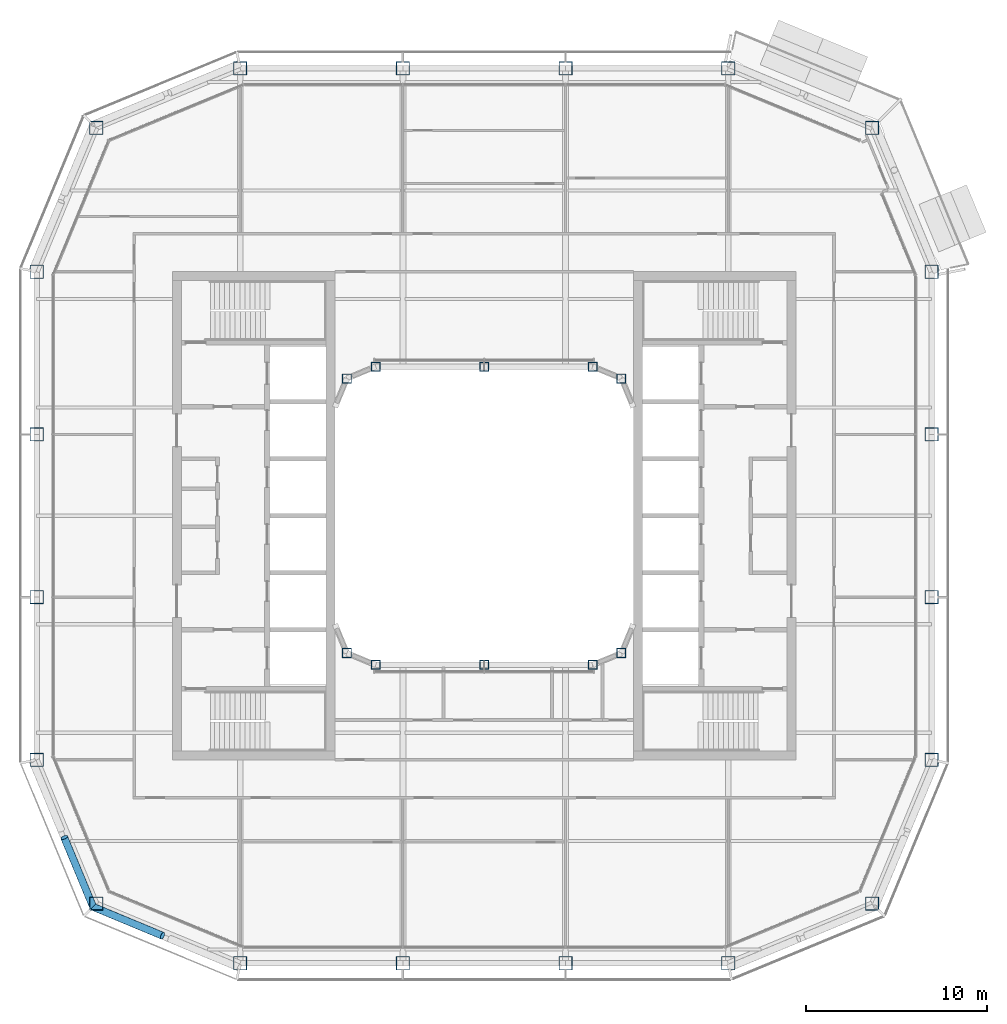
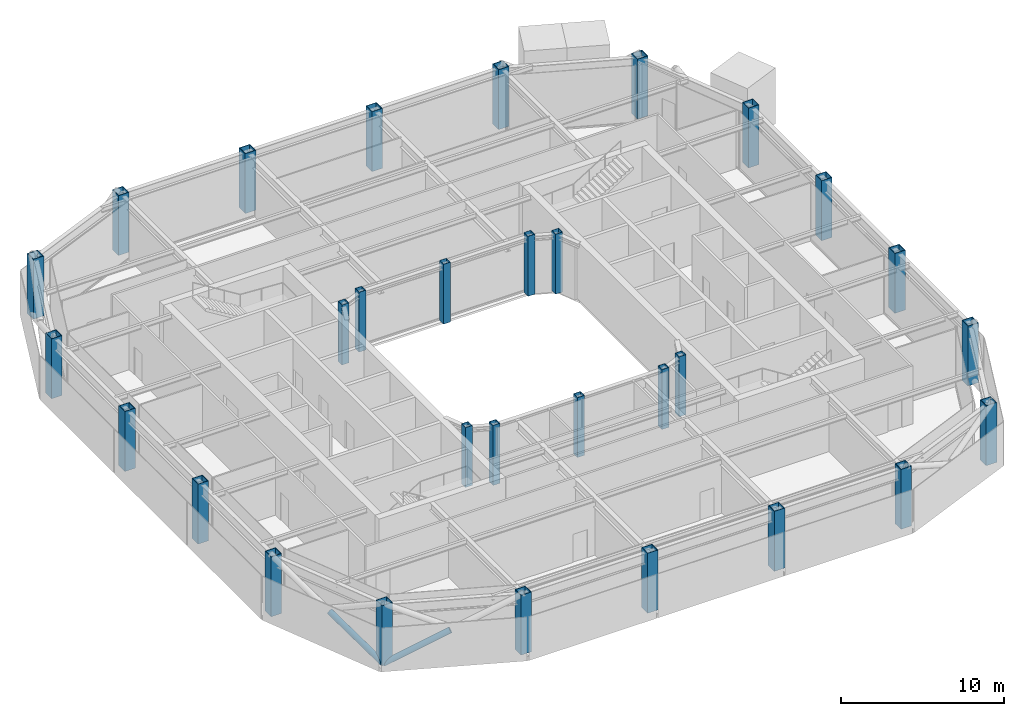
# One storey, part 1 of 20: 30 columns, 2 members.
"""IFC4 building model written with IfcOpenShell, lengths in metres."""

from ifc_helpers import new_model, si_unit, direction, frame, origin, origin_2d, place, context, subcontext, project, spatial, hollow_rectangle, hollow_circle, extrude, material, material_profile, profile_set, type_object, element, save


model = new_model("IFC4")

# Units and contexts
model_context = context("Model", 3, precision=1e-05, world=origin(), true_north=direction((0.0, 1.0)))
body_context = subcontext(model_context, "Body", "Model", "MODEL_VIEW")
ifc_project = project(units=[si_unit("LENGTHUNIT", "METRE"), si_unit("AREAUNIT", "SQUARE_METRE"), si_unit("VOLUMEUNIT", "CUBIC_METRE"), si_unit("PLANEANGLEUNIT", "RADIAN"), si_unit("MASSUNIT", "GRAM", prefix="KILO")], contexts=[model_context])

# Site, building, storey
site_placement = place(None, origin())
site = spatial("IfcSite", under=ifc_project, at=site_placement, CompositionType="ELEMENT")
building_placement = place(site_placement, origin())
building = spatial("IfcBuilding", under=site, at=building_placement, Name="Siwar Civic Tower", CompositionType="ELEMENT")
storey_placement = place(building_placement, frame((0.0, 0.0, 307.699951171875)))
storey = spatial("IfcBuildingStorey", under=building, at=storey_placement, Name="L66", CompositionType="ELEMENT", Elevation=307.699951171875)

# Columns
ifc_material_1 = material(Name="Steel S355", Category="steel")
ifc_material_profile_1 = material_profile(ifc_material_1, hollow_rectangle(XDim=0.75, YDim=0.75, WallThickness=0.0400390625, at=origin_2d()), Name="BOX750x750x40")
ifc_profile_set_1 = profile_set([ifc_material_profile_1], Name="Steel S355")
column_type_1 = type_object("IfcColumnType", Name="STR-COL-BOX750x750x40", PredefinedType="COLUMN", material=ifc_profile_set_1)
for number, where, z_axis, x_axis, name in (
    (1, (-13.5, -24.75, 0.0), (0.0, 0.0, 1.0), (1.0, 0.0, 0.0), "L66/col/S-0"),
    (2, (-4.5, -24.75, 0.0), (0.0, 0.0, 1.0), (1.0, 0.0, 0.0), "L66/col/S-1"),
    (3, (4.5, -24.75, 0.0), (0.0, 0.0, 1.0), (1.0, 0.0, 0.0), "L66/col/S-2"),
    (4, (13.5, -24.75, 0.0), (0.0, 0.0, 1.0), (1.0, 0.0, 0.0), "L66/col/SE1-0"),
    (5, (21.454833984375, -21.454833984375, 0.0), (0.0, 0.0, 1.0), (1.0, 0.0, 0.0), "L66/col/SE2-0"),
    (6, (24.75, -13.5, 0.0), (0.0, 0.0, 1.0), (1.0, 0.0, 0.0), "L66/col/E-0"),
    (7, (24.75, -4.5, 0.0), (0.0, 0.0, 1.0), (1.0, 0.0, 0.0), "L66/col/E-1"),
    (8, (24.75, 4.5, 0.0), (0.0, 0.0, 1.0), (1.0, 0.0, 0.0), "L66/col/E-2"),
    (9, (24.75, 13.5, 0.0), (0.0, 0.0, 1.0), (1.0, 0.0, 0.0), "L66/col/NE1-0"),
    (10, (21.454833984375, 21.454833984375, 0.0), (0.0, 0.0, 1.0), (1.0, 0.0, 0.0), "L66/col/NE2-0"),
    (11, (13.5, 24.75, 0.0), (0.0, 0.0, 1.0), (1.0, 0.0, 0.0), "L66/col/N-0"),
    (12, (4.5, 24.75, 0.0), (0.0, 0.0, 1.0), (1.0, 0.0, 0.0), "L66/col/N-1"),
    (13, (-4.5, 24.75, 0.0), (0.0, 0.0, 1.0), (1.0, 0.0, 0.0), "L66/col/N-2"),
    (14, (-13.5, 24.75, 0.0), (0.0, 0.0, 1.0), (1.0, 0.0, 0.0), "L66/col/NW1-0"),
    (15, (-21.454833984375, 21.454833984375, 0.0), (0.0, 0.0, 1.0), (1.0, 0.0, 0.0), "L66/col/NW2-0"),
    (16, (-24.75, 13.5, 0.0), (0.0, 0.0, 1.0), (1.0, 0.0, 0.0), "L66/col/W-0"),
    (17, (-24.75, 4.5, 0.0), (0.0, 0.0, 1.0), (1.0, 0.0, 0.0), "L66/col/W-1"),
    (18, (-24.75, -4.5, 0.0), (0.0, 0.0, 1.0), (1.0, 0.0, 0.0), "L66/col/W-2"),
    (19, (-24.75, -13.5, 0.0), (0.0, 0.0, 1.0), (1.0, 0.0, 0.0), "L66/col/SW1-0"),
    (20, (-21.454833984375, -21.454833984375, 0.0), (0.0, 0.0, 1.0), (1.0, 0.0, 0.0), "L66/col/SW2-0"),
):
    element("IfcColumn", number, at=place(storey_placement, frame(where, z_axis=z_axis, x_axis=x_axis)), inside=storey, type_object=column_type_1, Name=name, PredefinedType="COLUMN", context=body_context, shape_type="SweptSolid", body=[
        extrude(hollow_rectangle(XDim=0.75, YDim=0.75, WallThickness=0.0400390625, at=origin_2d()), origin(), (0.0, 0.0, 1.0), 4.5),
    ])
ifc_material_2 = material(Name="Steel S355", Category="steel")
ifc_material_profile_2 = material_profile(ifc_material_2, hollow_rectangle(XDim=0.5, YDim=0.5, WallThickness=0.02490234375, at=origin_2d()), Name="BOX500x500x25")
ifc_profile_set_2 = profile_set([ifc_material_profile_2], Name="Steel S355")
column_type_2 = type_object("IfcColumnType", Name="STR-ICOL-BOX500x500x25", PredefinedType="COLUMN", material=ifc_profile_set_2)
for number, where, z_axis, x_axis, name in (
    (21, (-7.591064453125, -7.591064453125, 0.0), (0.0, 0.0, 1.0), (1.0, 0.0, 0.0), "L66/col/IS-0"),
    (22, (-6.0, -8.25, 0.0), (0.0, 0.0, 1.0), (1.0, 0.0, 0.0), "L66/col/IS-1"),
    (23, (0.0, -8.25, 0.0), (0.0, 0.0, 1.0), (1.0, 0.0, 0.0), "L66/col/IS-2"),
    (24, (6.0, -8.25, 0.0), (0.0, 0.0, 1.0), (1.0, 0.0, 0.0), "L66/col/IS-3"),
    (25, (7.591064453125, -7.591064453125, 0.0), (0.0, 0.0, 1.0), (1.0, 0.0, 0.0), "L66/col/IS-4"),
    (26, (-7.591064453125, 7.591064453125, 0.0), (0.0, 0.0, 1.0), (1.0, 0.0, 0.0), "L66/col/IN-0"),
    (27, (-6.0, 8.25, 0.0), (0.0, 0.0, 1.0), (1.0, 0.0, 0.0), "L66/col/IN-1"),
    (28, (0.0, 8.25, 0.0), (0.0, 0.0, 1.0), (1.0, 0.0, 0.0), "L66/col/IN-2"),
    (29, (6.0, 8.25, 0.0), (0.0, 0.0, 1.0), (1.0, 0.0, 0.0), "L66/col/IN-3"),
    (30, (7.591064453125, 7.591064453125, 0.0), (0.0, 0.0, 1.0), (1.0, 0.0, 0.0), "L66/col/IN-4"),
):
    element("IfcColumn", number, at=place(storey_placement, frame(where, z_axis=z_axis, x_axis=x_axis)), inside=storey, type_object=column_type_2, Name=name, PredefinedType="COLUMN", context=body_context, shape_type="SweptSolid", body=[
        extrude(hollow_rectangle(XDim=0.5, YDim=0.5, WallThickness=0.02490234375, at=origin_2d()), origin(), (0.0, 0.0, 1.0), 4.5),
    ])

# Members
ifc_material_3 = material(Name="Steel S355", Category="steel")
ifc_material_profile_3 = material_profile(ifc_material_3, hollow_circle(Radius=0.203125, WallThickness=0.01611328125, at=origin_2d()), Name="CHS406.4x16")
ifc_profile_set_3 = profile_set([ifc_material_profile_3], Name="Steel S355")
member_type = type_object("IfcMemberType", Name="STR-BR-CHS406.4x16", PredefinedType="BRACE", material=ifc_profile_set_3)
for number, where, z_axis, x_axis, name in (
    (31, (-21.6318359375, -21.6318359375, 0.0), (0.821147096886, -0.341644380467, 0.457161418507), (0.38413607648, 0.923276488787, 0.0), "L66/brc/DSW1-5-0-2"),
    (32, (-21.6318359375, -21.6318359375, 0.0), (-0.341644380467, 0.821147096886, 0.457161418507), (-0.923276488787, -0.38413607648, 0.0), "L66/brc/DSW1-5-0-4"),
):
    element("IfcMember", number, at=place(storey_placement, frame(where, z_axis=z_axis, x_axis=x_axis)), inside=storey, type_object=member_type, Name=name, PredefinedType="BRACE", context=body_context, shape_type="SweptSolid", body=[
        extrude(hollow_circle(Radius=0.203125, WallThickness=0.01611328125, at=origin_2d()), origin(), (0.0, 0.0, 1.0), 4.677001953125),
    ])

save(model, "model.ifc")
